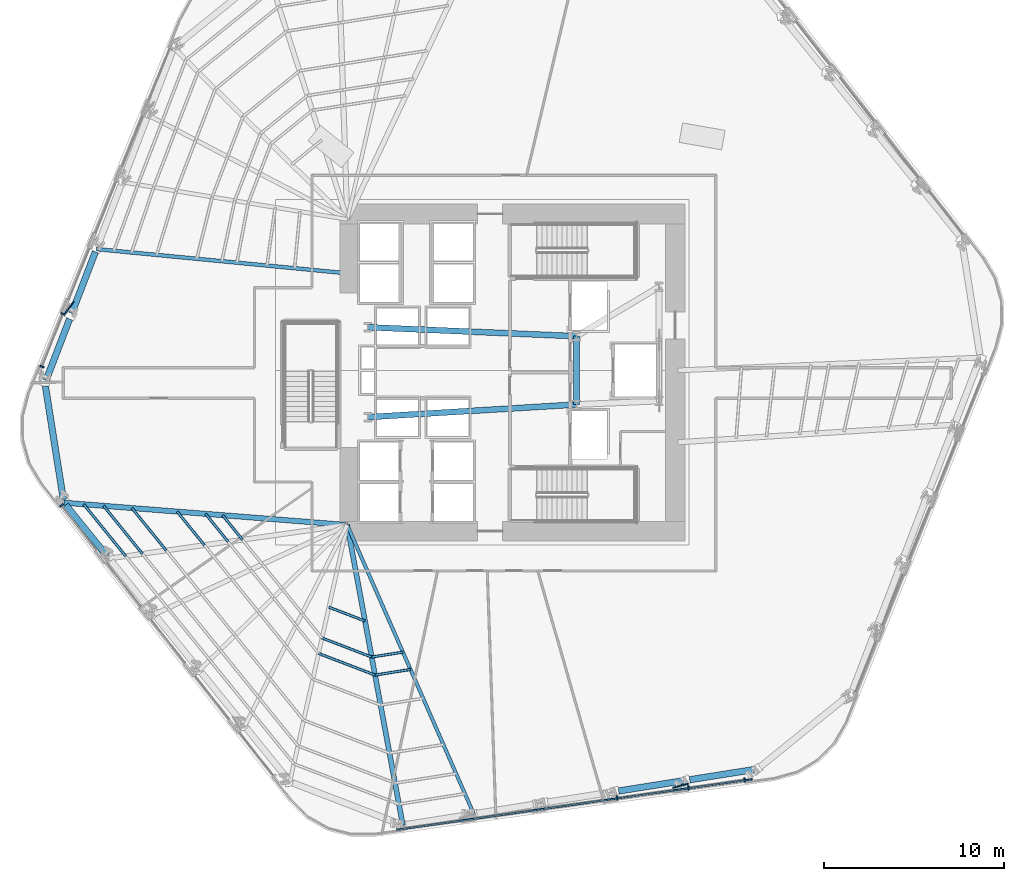
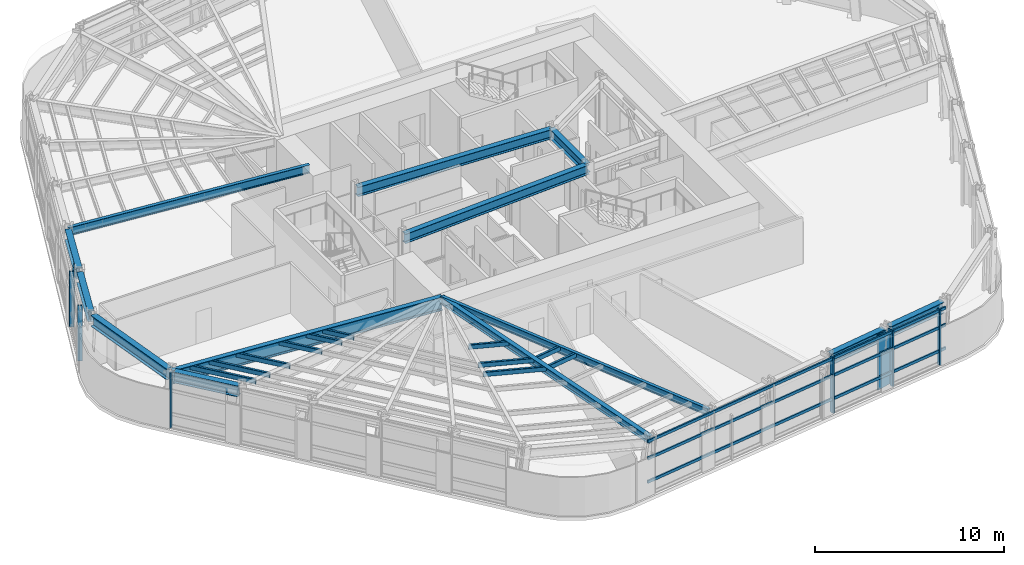
# One storey, part 3 of 16: 22 members, 13 beams, 3 elements without a shape of their own.
"""IFC4 building model written with IfcOpenShell, lengths in metres."""

from ifc_helpers import new_model, si_unit, direction, frame, origin, origin_2d, place, context, subcontext, project, spatial, rectangle, hollow_rectangle, i_section, extrude, material, layer, layer_set, material_profile, profile_set, type_object, element, aggregate, save


model = new_model("IFC4")

# Units and contexts
model_context = context("Model", 3, precision=1e-05, world=origin(), true_north=direction((0.0, 1.0)))
body_context = subcontext(model_context, "Body", "Model", "MODEL_VIEW")
ifc_project = project(units=[si_unit("LENGTHUNIT", "METRE"), si_unit("AREAUNIT", "SQUARE_METRE"), si_unit("VOLUMEUNIT", "CUBIC_METRE"), si_unit("PLANEANGLEUNIT", "RADIAN"), si_unit("MASSUNIT", "GRAM", prefix="KILO")], contexts=[model_context])

# Site, building, storey
site_placement = place(None, origin())
site = spatial("IfcSite", under=ifc_project, at=site_placement, CompositionType="ELEMENT")
building_placement = place(site_placement, origin())
building = spatial("IfcBuilding", under=site, at=building_placement, Name="Valkerne Bourse Tower", CompositionType="ELEMENT")
storey_placement = place(building_placement, frame((0.0, 0.0, 58.199951171875)))
storey = spatial("IfcBuildingStorey", under=building, at=storey_placement, Name="L14", CompositionType="ELEMENT", Elevation=58.199951171875)

# Beams
ifc_material_1 = material(Name="Steel ASTM A992", Category="steel")
ifc_material_profile_1 = material_profile(ifc_material_1, i_section(OverallWidth=0.1904296875, OverallDepth=0.457275390625, WebThickness=0.009033203125, FlangeThickness=0.014404296875, FilletRadius=0.01513671875, at=origin_2d()), Name="W18X50")
ifc_profile_set_1 = profile_set([ifc_material_profile_1], Name="Steel ASTM A992")
beam_type_1 = type_object("IfcBeamType", Name="BM-W18X50", PredefinedType="JOIST", material=ifc_profile_set_1)
beam_1_placement = place(storey_placement, frame((44.639404296875, 2.325927734375, 3.3515625), z_axis=(-0.40115089285, 0.916011987457, 0.0), x_axis=(-0.916011987457, -0.40115089285, 0.0)))
element("IfcBeam", 1, at=beam_1_placement, inside=storey, type_object=beam_type_1, Name="L14 Radial Composite Floor Beam 25", PredefinedType="JOIST", context=body_context, shape_type="SweptSolid", body=[
    extrude(i_section(OverallWidth=0.1904296875, OverallDepth=0.457275390625, WebThickness=0.009033203125, FlangeThickness=0.014404296875, FilletRadius=0.01513671875, at=origin_2d()), origin(), (0.0, 0.0, 1.0), 17.5478515625),
])
ifc_material_profile_2 = material_profile(ifc_material_1, i_section(OverallWidth=0.279296875, OverallDepth=0.46240234375, WebThickness=0.0107421875, FlangeThickness=0.017333984375, FilletRadius=0.017822265625, at=origin_2d()), Name="W18X76")
ifc_profile_set_2 = profile_set([ifc_material_profile_2], Name="Steel ASTM A992")
beam_type_2 = type_object("IfcBeamType", Name="BM-W18X76", PredefinedType="BEAM", material=ifc_profile_set_2)
beam_2_placement = place(storey_placement, frame((40.6923828125, 1.700927734375, 3.348876953125), z_axis=(-0.182082568044, 0.983283244246, 0.0), x_axis=(-0.983283244246, -0.182082568044, 0.0)))
element("IfcBeam", 2, at=beam_2_placement, inside=storey, type_object=beam_type_2, Name="L14 Radial Composite Floor Beam 24", PredefinedType="BEAM", context=body_context, shape_type="SweptSolid", body=[
    extrude(i_section(OverallWidth=0.279296875, OverallDepth=0.46240234375, WebThickness=0.0107421875, FlangeThickness=0.017333984375, FilletRadius=0.017822265625, at=origin_2d()), origin(), (0.0, 0.0, 1.0), 16.98291015625),
])
ifc_material_profile_3 = material_profile(ifc_material_1, i_section(OverallWidth=0.209228515625, OverallDepth=0.533447265625, WebThickness=0.01025390625, FlangeThickness=0.015625, FilletRadius=0.017822265625, at=origin_2d()), Name="W21X62")
ifc_profile_set_3 = profile_set([ifc_material_profile_3], Name="Steel ASTM A992")
beam_type_3 = type_object("IfcBeamType", Name="BM-W21X62", PredefinedType="JOIST", material=ifc_profile_set_3)
beam_3_placement = place(storey_placement, frame((23.64794921875, 33.7470703125, 3.313232421875), z_axis=(0.995370783533, -0.096109329872, 0.0), x_axis=(0.096109329872, 0.995370783533, 0.0)))
element("IfcBeam", 3, at=beam_3_placement, inside=storey, type_object=beam_type_3, Name="L14 Radial Composite Floor Beam 15", PredefinedType="JOIST", context=body_context, shape_type="SweptSolid", body=[
    extrude(i_section(OverallWidth=0.209228515625, OverallDepth=0.533447265625, WebThickness=0.01025390625, FlangeThickness=0.015625, FilletRadius=0.017822265625, at=origin_2d()), origin(), (0.0, 0.0, 1.0), 14.01708984375),
])
ifc_material_profile_4 = material_profile(ifc_material_1, i_section(OverallWidth=0.3251953125, OverallDepth=0.612060546875, WebThickness=0.0126953125, FlangeThickness=0.01904296875, FilletRadius=0.020263671875, at=origin_2d()), Name="W24X104")
ifc_profile_set_4 = profile_set([ifc_material_profile_4], Name="Steel ASTM A992")
beam_type_4 = type_object("IfcBeamType", Name="BM-W24X104", PredefinedType="BEAM", material=ifc_profile_set_4)
beam_4_placement = place(storey_placement, frame((50.35009765625, 25.10009765625, 3.274169921875), z_axis=(0.0, 1.0, 0.0), x_axis=(-1.0, 0.0, 0.0)))
element("IfcBeam", 4, at=beam_4_placement, inside=storey, type_object=beam_type_4, Name="L14 Core Frame Girder CG-CE", PredefinedType="BEAM", context=body_context, shape_type="SweptSolid", body=[
    extrude(i_section(OverallWidth=0.3251953125, OverallDepth=0.612060546875, WebThickness=0.0126953125, FlangeThickness=0.01904296875, FilletRadius=0.020263671875, at=origin_2d()), origin(), (0.0, 0.0, 1.0), 3.7998046875),
])
beam_5_placement = place(storey_placement, frame((38.75, 24.39990234375, 3.274169921875), z_axis=(0.998183228389, 0.060251494276, 0.0), x_axis=(-0.060251494276, 0.998183228389, 0.0)))
element("IfcBeam", 5, at=beam_5_placement, inside=storey, type_object=beam_type_4, Name="L14 Core Frame Girder CG-SW", PredefinedType="BEAM", context=body_context, shape_type="SweptSolid", body=[
    extrude(i_section(OverallWidth=0.3251953125, OverallDepth=0.612060546875, WebThickness=0.0126953125, FlangeThickness=0.01904296875, FilletRadius=0.020263671875, at=origin_2d()), origin(), (0.0, 0.0, 1.0), 11.62109375),
])
beam_6_placement = place(storey_placement, frame((38.75, 29.39990234375, 3.274169921875), z_axis=(0.999072354402, -0.043063101019, 0.0), x_axis=(0.043063101019, 0.999072354402, 0.0)))
element("IfcBeam", 6, at=beam_6_placement, inside=storey, type_object=beam_type_4, Name="L14 Core Frame Girder CG-NW", PredefinedType="BEAM", context=body_context, shape_type="SweptSolid", body=[
    extrude(i_section(OverallWidth=0.3251953125, OverallDepth=0.612060546875, WebThickness=0.0126953125, FlangeThickness=0.01904296875, FilletRadius=0.020263671875, at=origin_2d()), origin(), (0.0, 0.0, 1.0), 11.61083984375),
])
ifc_material_profile_5 = material_profile(ifc_material_1, i_section(OverallWidth=0.358154296875, OverallDepth=0.7060546875, WebThickness=0.018310546875, FlangeThickness=0.0302734375, FilletRadius=0.02294921875, at=origin_2d()), Name="W27X178")
ifc_profile_set_5 = profile_set([ifc_material_profile_5], Name="Steel ASTM A992")
beam_type_5 = type_object("IfcBeamType", Name="BM-W27X178", PredefinedType="SPANDREL", material=ifc_profile_set_5)
beam_7_placement = place(storey_placement, frame((23.587158203125, 33.58837890625, 3.22705078125), z_axis=(-0.358401752781, -0.933567449949, 0.0), x_axis=(0.933567449949, -0.358401752781, 0.0)))
element("IfcBeam", 7, at=beam_7_placement, inside=storey, type_object=beam_type_5, Name="L14 Hexagonal Spandrel Ring Beam 15", PredefinedType="SPANDREL", context=body_context, shape_type="SweptSolid", body=[
    extrude(i_section(OverallWidth=0.358154296875, OverallDepth=0.7060546875, WebThickness=0.018310546875, FlangeThickness=0.0302734375, FilletRadius=0.02294921875, at=origin_2d()), origin(), (0.0, 0.0, 1.0), 3.656005859375),
])
beam_8_placement = place(storey_placement, frame((22.155029296875, 29.85791015625, 3.22705078125), z_axis=(-0.358379410409, -0.933576027003, 0.0), x_axis=(0.933576027003, -0.358379410409, 0.0)))
element("IfcBeam", 8, at=beam_8_placement, inside=storey, type_object=beam_type_5, Name="L14 Hexagonal Spandrel Ring Beam 16", PredefinedType="SPANDREL", context=body_context, shape_type="SweptSolid", body=[
    extrude(i_section(OverallWidth=0.358154296875, OverallDepth=0.7060546875, WebThickness=0.018310546875, FlangeThickness=0.0302734375, FilletRadius=0.02294921875, at=origin_2d()), origin(), (0.0, 0.0, 1.0), 3.65625),
])
beam_9_placement = place(storey_placement, frame((20.810546875, 26.117919921875, 3.22705078125), z_axis=(0.156443313675, -0.987686939069, 0.0), x_axis=(0.987686939069, 0.156443313675, 0.0)))
element("IfcBeam", 9, at=beam_9_placement, inside=storey, type_object=beam_type_5, Name="L14 Hexagonal Spandrel Ring Beam 17", PredefinedType="SPANDREL", context=body_context, shape_type="SweptSolid", body=[
    extrude(i_section(OverallWidth=0.358154296875, OverallDepth=0.7060546875, WebThickness=0.018310546875, FlangeThickness=0.0302734375, FilletRadius=0.02294921875, at=origin_2d()), origin(), (0.0, 0.0, 1.0), 6.388916015625),
])
beam_10_placement = place(storey_placement, frame((21.943603515625, 19.507568359375, 3.22705078125), z_axis=(0.629342299729, -0.777128219647, 0.0), x_axis=(0.777128219647, 0.629342299729, 0.0)))
element("IfcBeam", 10, at=beam_10_placement, inside=storey, type_object=beam_type_5, Name="L14 Hexagonal Spandrel Ring Beam 18", PredefinedType="SPANDREL", context=body_context, shape_type="SweptSolid", body=[
    extrude(i_section(OverallWidth=0.358154296875, OverallDepth=0.7060546875, WebThickness=0.018310546875, FlangeThickness=0.0302734375, FilletRadius=0.02294921875, at=origin_2d()), origin(), (0.0, 0.0, 1.0), 3.65576171875),
])
beam_11_placement = place(storey_placement, frame((52.70068359375, 3.602783203125, 3.22705078125), z_axis=(0.987684876333, 0.156456335964, 0.0), x_axis=(-0.156456335964, 0.987684876333, 0.0)))
element("IfcBeam", 11, at=beam_11_placement, inside=storey, type_object=beam_type_5, Name="L14 Hexagonal Spandrel Ring Beam 27", PredefinedType="SPANDREL", context=body_context, shape_type="SweptSolid", body=[
    extrude(i_section(OverallWidth=0.358154296875, OverallDepth=0.7060546875, WebThickness=0.018310546875, FlangeThickness=0.0302734375, FilletRadius=0.02294921875, at=origin_2d()), origin(), (0.0, 0.0, 1.0), 3.656005859375),
])
beam_12_placement = place(storey_placement, frame((56.647705078125, 4.227783203125, 3.22705078125), z_axis=(0.987683241587, 0.156466655513, 0.0), x_axis=(-0.156466655513, 0.987683241587, 0.0)))
element("IfcBeam", 12, at=beam_12_placement, inside=storey, type_object=beam_type_5, Name="L14 Hexagonal Spandrel Ring Beam 28", PredefinedType="SPANDREL", context=body_context, shape_type="SweptSolid", body=[
    extrude(i_section(OverallWidth=0.358154296875, OverallDepth=0.7060546875, WebThickness=0.018310546875, FlangeThickness=0.0302734375, FilletRadius=0.02294921875, at=origin_2d()), origin(), (0.0, 0.0, 1.0), 3.65576171875),
])
ifc_material_profile_6 = material_profile(ifc_material_1, i_section(OverallWidth=0.2919921875, OverallDepth=0.8583984375, WebThickness=0.01708984375, FlangeThickness=0.031005859375, FilletRadius=0.025390625, at=origin_2d()), Name="W33X169")
ifc_profile_set_6 = profile_set([ifc_material_profile_6], Name="Steel ASTM A992")
beam_type_6 = type_object("IfcBeamType", Name="BM-W33X169", PredefinedType="BEAM", material=ifc_profile_set_6)
beam_13_placement = place(storey_placement, frame((21.836669921875, 19.6396484375, 3.150634765625), z_axis=(0.996921599128, -0.078404879898, 0.0), x_axis=(0.078404879898, 0.996921599128, 0.0)))
element("IfcBeam", 13, at=beam_13_placement, inside=storey, type_object=beam_type_6, Name="L14 Radial Composite Floor Beam 18", PredefinedType="BEAM", context=body_context, shape_type="SweptSolid", body=[
    extrude(i_section(OverallWidth=0.2919921875, OverallDepth=0.8583984375, WebThickness=0.01708984375, FlangeThickness=0.031005859375, FilletRadius=0.025390625, at=origin_2d()), origin(), (0.0, 0.0, 1.0), 15.81201171875),
])

# Curtain wall, members
ifc_material_2 = material(Name="Aluminium AA 6063-T6", Category="aluminium")
ifc_layer = layer(ifc_material_2, 0.22509765625)
ifc_layer_set = layer_set([ifc_layer], Name="Aluminium AA 6063-T6")
curtain_wall_type = type_object("IfcCurtainWallType", Name="CW-01", PredefinedType="NOTDEFINED", material=ifc_layer_set)
curtain_wall_1_placement = place(storey_placement, origin())
curtain_wall_1 = element("IfcCurtainWall", 14, at=curtain_wall_1_placement, inside=storey, type_object=curtain_wall_type, Name="L14 Hexagonal Stick Curtain Wall Face 3", PredefinedType="NOTDEFINED")
ifc_material_profile_7 = material_profile(ifc_material_2, rectangle(XDim=0.090087890625, YDim=0.239990234375, at=origin_2d()), Name="CWM-90X240")
ifc_profile_set_7 = profile_set([ifc_material_profile_7], Name="Aluminium AA 6063-T6")
member_type_1 = type_object("IfcMemberType", Name="CW-MUL-240X90", PredefinedType="MULLION", material=ifc_profile_set_7)
member_1_placement = place(storey_placement, frame((21.794189453125, 30.139404296875, 0.0), z_axis=(0.0, 0.0, 1.0), x_axis=(-0.372990832335, -0.927835027898, 0.0)))
member_1 = element("IfcMember", 15, at=member_1_placement, type_object=member_type_1, Name="CW-L14-F3 Jamb Mullion 04A", PredefinedType="MULLION", context=body_context, shape_type="SweptSolid", body=[
    extrude(rectangle(XDim=0.090087890625, YDim=0.239990234375, at=origin_2d()), origin(), (0.0, 0.0, 1.0), 3.580078125),
])
member_2_placement = place(storey_placement, frame((20.6171875, 27.211181640625, 0.0), z_axis=(0.0, 0.0, 1.0), x_axis=(-0.372990832335, -0.927835027898, 0.0)))
member_2 = element("IfcMember", 16, at=member_2_placement, type_object=member_type_1, Name="CW-L14-F3 Jamb Mullion 04B", PredefinedType="MULLION", context=body_context, shape_type="SweptSolid", body=[
    extrude(rectangle(XDim=0.090087890625, YDim=0.239990234375, at=origin_2d()), origin(), (0.0, 0.0, 1.0), 3.580078125),
])
aggregate(curtain_wall_1, [member_1, member_2])

# Curtain wall, member
curtain_wall_2_placement = place(storey_placement, origin())
curtain_wall_2 = element("IfcCurtainWall", 17, at=curtain_wall_2_placement, inside=storey, type_object=curtain_wall_type, Name="L14 Hexagonal Stick Curtain Wall Face 4", PredefinedType="NOTDEFINED")
member_3_placement = place(storey_placement, frame((21.715576171875, 19.492431640625, 0.0), z_axis=(0.0, 0.0, 1.0), x_axis=(0.617050915686, -0.786923228435, 0.0)))
member_3 = element("IfcMember", 18, at=member_3_placement, type_object=member_type_1, Name="CW-L14-F4 Jamb Mullion 00A", PredefinedType="MULLION", context=body_context, shape_type="SweptSolid", body=[
    extrude(rectangle(XDim=0.090087890625, YDim=0.239990234375, at=origin_2d()), origin(), (0.0, 0.0, 1.0), 3.580078125),
])
aggregate(curtain_wall_2, [member_3])

# Curtain wall, members
curtain_wall_3_placement = place(storey_placement, origin())
curtain_wall_3 = element("IfcCurtainWall", 19, at=curtain_wall_3_placement, inside=storey, type_object=curtain_wall_type, Name="L14 Hexagonal Stick Curtain Wall Face 5", PredefinedType="NOTDEFINED")
member_4_placement = place(storey_placement, frame((52.6279296875, 3.211669921875, 0.0), z_axis=(0.0, 0.0, 1.0), x_axis=(0.990025425383, 0.140888811104, 0.0)))
member_4 = element("IfcMember", 20, at=member_4_placement, type_object=member_type_1, Name="CW-L14-F5 Jamb Mullion 03A", PredefinedType="MULLION", context=body_context, shape_type="SweptSolid", body=[
    extrude(rectangle(XDim=0.090087890625, YDim=0.239990234375, at=origin_2d()), origin(), (0.0, 0.0, 1.0), 3.580078125),
])
member_5_placement = place(storey_placement, frame((56.583984375, 3.774658203125, 0.0), z_axis=(0.0, 0.0, 1.0), x_axis=(0.990021437646, 0.140916830088, 0.0)))
member_5 = element("IfcMember", 21, at=member_5_placement, type_object=member_type_1, Name="CW-L14-F5 Jamb Mullion 04A", PredefinedType="MULLION", context=body_context, shape_type="SweptSolid", body=[
    extrude(rectangle(XDim=0.090087890625, YDim=0.239990234375, at=origin_2d()), origin(), (0.0, 0.0, 1.0), 3.580078125),
])
member_6_placement = place(storey_placement, frame((59.70849609375, 4.219482421875, 0.0), z_axis=(0.0, 0.0, 1.0), x_axis=(0.990021437646, 0.140916830088, 0.0)))
member_6 = element("IfcMember", 22, at=member_6_placement, type_object=member_type_1, Name="CW-L14-F5 Jamb Mullion 04B", PredefinedType="MULLION", context=body_context, shape_type="SweptSolid", body=[
    extrude(rectangle(XDim=0.090087890625, YDim=0.239990234375, at=origin_2d()), origin(), (0.0, 0.0, 1.0), 3.580078125),
])
ifc_material_profile_8 = material_profile(ifc_material_2, rectangle(XDim=0.090087890625, YDim=0.179931640625, at=origin_2d()), Name="CWT-90X180")
ifc_profile_set_8 = profile_set([ifc_material_profile_8], Name="Aluminium AA 6063-T6")
member_type_2 = type_object("IfcMemberType", Name="CW-TRN-180X90", PredefinedType="USERDEFINED", material=ifc_profile_set_8)
member_7_placement = place(storey_placement, frame((40.346435546875, 1.443603515625, 0.900146484375), z_axis=(0.990023893273, 0.140899576823, 0.0), x_axis=(-0.140899576823, 0.990023893273, 0.0)))
member_7 = element("IfcMember", 23, at=member_7_placement, type_object=member_type_2, Name="CW-L14-F5 Continuous Face Transom 2", ObjectType="TRANSOM", PredefinedType="USERDEFINED", context=body_context, shape_type="SweptSolid", body=[
    extrude(rectangle(XDim=0.090087890625, YDim=0.179931640625, at=origin_2d()), origin(), (0.0, 0.0, 1.0), 19.97998046875),
])
member_8_placement = place(storey_placement, frame((40.346435546875, 1.443603515625, 2.400146484375), z_axis=(0.990023893273, 0.140899576823, 0.0), x_axis=(-0.140899576823, 0.990023893273, 0.0)))
member_8 = element("IfcMember", 24, at=member_8_placement, type_object=member_type_2, Name="CW-L14-F5 Continuous Face Transom 3", ObjectType="TRANSOM", PredefinedType="USERDEFINED", context=body_context, shape_type="SweptSolid", body=[
    extrude(rectangle(XDim=0.090087890625, YDim=0.179931640625, at=origin_2d()), origin(), (0.0, 0.0, 1.0), 19.97998046875),
])
member_9_placement = place(storey_placement, frame((40.346435546875, 1.443603515625, 3.5), z_axis=(0.990023893273, 0.140899576823, 0.0), x_axis=(-0.140899576823, 0.990023893273, 0.0)))
member_9 = element("IfcMember", 25, at=member_9_placement, type_object=member_type_2, Name="CW-L14-F5 Continuous Face Transom 4", ObjectType="TRANSOM", PredefinedType="USERDEFINED", context=body_context, shape_type="SweptSolid", body=[
    extrude(rectangle(XDim=0.090087890625, YDim=0.179931640625, at=origin_2d()), origin(), (0.0, 0.0, 1.0), 19.97998046875),
])
aggregate(curtain_wall_3, [member_7, member_8, member_9, member_4, member_5, member_6])

# Members
ifc_material_3 = material(Name="Bronze Anodised Aluminium AA 6063-T6", Category="aluminium")
ifc_material_profile_9 = material_profile(ifc_material_3, rectangle(XDim=0.070068359375, YDim=0.89990234375, at=origin_2d()), Name="FIN-70X900")
ifc_profile_set_9 = profile_set([ifc_material_profile_9], Name="Bronze Anodised Aluminium AA 6063-T6")
member_type_3 = type_object("IfcMemberType", Name="FIN-SOLAR-900", PredefinedType="USERDEFINED", material=ifc_profile_set_9)
for number, where, z_axis, x_axis, name in (
    (26, (22.117919921875, 30.4619140625, 0.004150390625), (0.0, 0.0, 1.0), (-0.810057395993, 0.586350590685, 0.0), "L14 Bronze Anodised Solar Fin F3-04"),
    (27, (56.142822265625, 3.893798828125, 0.004150390625), (0.0, 0.0, 1.0), (0.257297924928, -0.966332126046, 0.0), "L14 Bronze Anodised Solar Fin F5-04"),
):
    element("IfcMember", number, at=place(storey_placement, frame(where, z_axis=z_axis, x_axis=x_axis)), inside=storey, type_object=member_type_3, Name=name, ObjectType="SOLAR_FIN", PredefinedType="USERDEFINED", context=body_context, shape_type="SweptSolid", body=[
        extrude(rectangle(XDim=0.070068359375, YDim=0.89990234375, at=origin_2d()), origin(), (0.0, 0.0, 1.0), 3.57177734375),
    ])
ifc_material_4 = material(Name="Steel ASTM A500 Grade C", Category="steel")
ifc_material_profile_10 = material_profile(ifc_material_4, hollow_rectangle(XDim=0.14990234375, YDim=0.300048828125, WallThickness=0.012451171875, OuterFilletRadius=0.02490234375, at=origin_2d()), Name="HSS300X150X12.5")
ifc_profile_set_10 = profile_set([ifc_material_profile_10], Name="Steel ASTM A500 Grade C")
member_type_4 = type_object("IfcMemberType", Name="MBR-HSS300X150X12.5", PredefinedType="PURLIN", material=ifc_profile_set_10)
member_10_placement = place(storey_placement, frame((36.579345703125, 13.827880859375, 3.420166015625), z_axis=(0.933608361098, -0.358295168942, 0.0), x_axis=(0.358295168942, 0.933608361098, 0.0)))
element("IfcMember", 28, at=member_10_placement, inside=storey, type_object=member_type_4, Name="L14 Secondary Composite Floor Purlin I-23", PredefinedType="PURLIN", context=body_context, shape_type="SweptSolid", body=[
    extrude(hollow_rectangle(XDim=0.14990234375, YDim=0.300048828125, WallThickness=0.012451171875, OuterFilletRadius=0.02490234375, at=origin_2d()), origin(), (0.0, 0.0, 1.0), 2.1533203125),
])
member_11_placement = place(storey_placement, frame((30.6640625, 18.945556640625, 3.420166015625), z_axis=(0.629290096716, -0.777170492347, 0.0), x_axis=(0.777170492347, 0.629290096716, 0.0)))
element("IfcMember", 29, at=member_11_placement, inside=storey, type_object=member_type_4, Name="L14 Secondary Composite Floor Purlin K-18", PredefinedType="PURLIN", context=body_context, shape_type="SweptSolid", body=[
    extrude(hollow_rectangle(XDim=0.14990234375, YDim=0.300048828125, WallThickness=0.012451171875, OuterFilletRadius=0.02490234375, at=origin_2d()), origin(), (0.0, 0.0, 1.0), 1.75830078125),
])
member_12_placement = place(storey_placement, frame((36.196533203125, 12.113525390625, 3.420166015625), z_axis=(0.933583422586, -0.35836014437, 0.0), x_axis=(0.35836014437, 0.933583422586, 0.0)))
element("IfcMember", 30, at=member_12_placement, inside=storey, type_object=member_type_4, Name="L14 Secondary Composite Floor Purlin K-23", PredefinedType="PURLIN", context=body_context, shape_type="SweptSolid", body=[
    extrude(hollow_rectangle(XDim=0.14990234375, YDim=0.300048828125, WallThickness=0.012451171875, OuterFilletRadius=0.02490234375, at=origin_2d()), origin(), (0.0, 0.0, 1.0), 2.960693359375),
])
member_13_placement = place(storey_placement, frame((38.960693359375, 11.052490234375, 3.420166015625), z_axis=(0.98770096406, 0.156354742799, 0.0), x_axis=(-0.156354742799, 0.98770096406, 0.0)))
element("IfcMember", 31, at=member_13_placement, inside=storey, type_object=member_type_4, Name="L14 Secondary Composite Floor Purlin K-24", PredefinedType="PURLIN", context=body_context, shape_type="SweptSolid", body=[
    extrude(hollow_rectangle(XDim=0.14990234375, YDim=0.300048828125, WallThickness=0.012451171875, OuterFilletRadius=0.02490234375, at=origin_2d()), origin(), (0.0, 0.0, 1.0), 1.75830078125),
])
member_14_placement = place(storey_placement, frame((29.71826171875, 19.019775390625, 3.420166015625), z_axis=(0.629363444327, -0.777111095626, 0.0), x_axis=(0.777111095626, 0.629363444327, 0.0)))
element("IfcMember", 32, at=member_14_placement, inside=storey, type_object=member_type_4, Name="L14 Secondary Composite Floor Purlin M-18", PredefinedType="PURLIN", context=body_context, shape_type="SweptSolid", body=[
    extrude(hollow_rectangle(XDim=0.14990234375, YDim=0.300048828125, WallThickness=0.012451171875, OuterFilletRadius=0.02490234375, at=origin_2d()), origin(), (0.0, 0.0, 1.0), 1.997802734375),
])
member_15_placement = place(storey_placement, frame((36.005126953125, 11.256103515625, 3.420166015625), z_axis=(0.933575441821, -0.358380934801, 0.0), x_axis=(0.358380934801, 0.933575441821, 0.0)))
element("IfcMember", 33, at=member_15_placement, inside=storey, type_object=member_type_4, Name="L14 Secondary Composite Floor Purlin M-23", PredefinedType="PURLIN", context=body_context, shape_type="SweptSolid", body=[
    extrude(hollow_rectangle(XDim=0.14990234375, YDim=0.300048828125, WallThickness=0.012451171875, OuterFilletRadius=0.02490234375, at=origin_2d()), origin(), (0.0, 0.0, 1.0), 3.364501953125),
])
member_16_placement = place(storey_placement, frame((39.146240234375, 10.05029296875, 3.420166015625), z_axis=(0.987673637151, 0.156527270715, 0.0), x_axis=(-0.156527270715, 0.987673637151, 0.0)))
element("IfcMember", 34, at=member_16_placement, inside=storey, type_object=member_type_4, Name="L14 Secondary Composite Floor Purlin M-24", PredefinedType="PURLIN", context=body_context, shape_type="SweptSolid", body=[
    extrude(hollow_rectangle(XDim=0.14990234375, YDim=0.300048828125, WallThickness=0.012451171875, OuterFilletRadius=0.02490234375, at=origin_2d()), origin(), (0.0, 0.0, 1.0), 1.998046875),
])
member_17_placement = place(storey_placement, frame((25.619873046875, 19.34228515625, 3.420166015625), z_axis=(0.629311542197, -0.777153127033, 0.0), x_axis=(0.777153127033, 0.629311542197, 0.0)))
element("IfcMember", 35, at=member_17_placement, inside=storey, type_object=member_type_4, Name="L14 Secondary Composite Floor Purlin O-18", PredefinedType="PURLIN", context=body_context, shape_type="SweptSolid", body=[
    extrude(hollow_rectangle(XDim=0.14990234375, YDim=0.300048828125, WallThickness=0.012451171875, OuterFilletRadius=0.02490234375, at=origin_2d()), origin(), (0.0, 0.0, 1.0), 3.036865234375),
])
member_18_placement = place(storey_placement, frame((28.14208984375, 19.143798828125, 3.420166015625), z_axis=(0.62930367874, -0.777159494521, 0.0), x_axis=(0.777159494521, 0.62930367874, 0.0)))
element("IfcMember", 36, at=member_18_placement, inside=storey, type_object=member_type_4, Name="L14 Secondary Composite Floor Purlin Z-18", PredefinedType="PURLIN", context=body_context, shape_type="SweptSolid", body=[
    extrude(hollow_rectangle(XDim=0.14990234375, YDim=0.300048828125, WallThickness=0.012451171875, OuterFilletRadius=0.02490234375, at=origin_2d()), origin(), (0.0, 0.0, 1.0), 2.3974609375),
])
member_19_placement = place(storey_placement, frame((24.04345703125, 19.466064453125, 3.420166015625), z_axis=(0.629310627835, -0.777153867451, 0.0), x_axis=(0.777153867451, 0.629310627835, 0.0)))
element("IfcMember", 37, at=member_19_placement, inside=storey, type_object=member_type_4, Name="L14 Secondary Composite Floor Purlin T-18", PredefinedType="PURLIN", context=body_context, shape_type="SweptSolid", body=[
    extrude(hollow_rectangle(XDim=0.14990234375, YDim=0.300048828125, WallThickness=0.012451171875, OuterFilletRadius=0.02490234375, at=origin_2d()), origin(), (0.0, 0.0, 1.0), 3.4365234375),
])
member_20_placement = place(storey_placement, frame((22.93994140625, 19.552978515625, 3.420166015625), z_axis=(0.629330503686, -0.777137772297, 0.0), x_axis=(0.777137772297, 0.629330503686, 0.0)))
element("IfcMember", 38, at=member_20_placement, inside=storey, type_object=member_type_4, Name="L14 Secondary Composite Floor Purlin U-18", PredefinedType="PURLIN", context=body_context, shape_type="SweptSolid", body=[
    extrude(hollow_rectangle(XDim=0.14990234375, YDim=0.300048828125, WallThickness=0.012451171875, OuterFilletRadius=0.02490234375, at=origin_2d()), origin(), (0.0, 0.0, 1.0), 3.716552734375),
])

save(model, "model.ifc")
